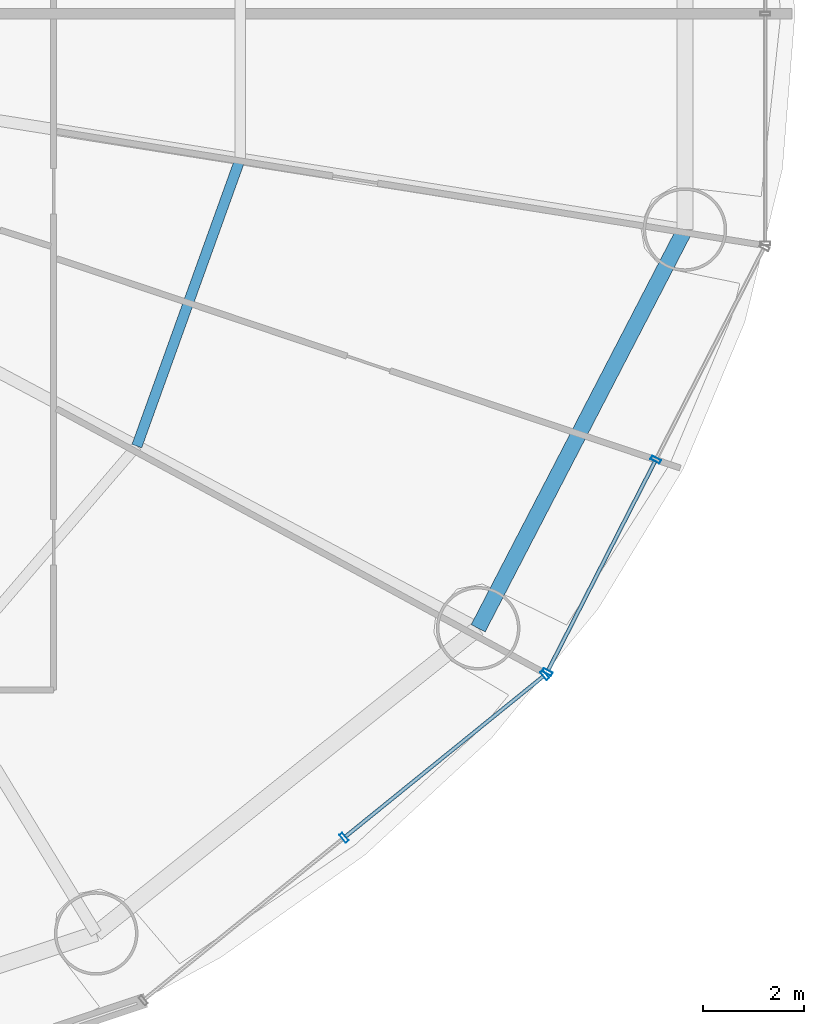
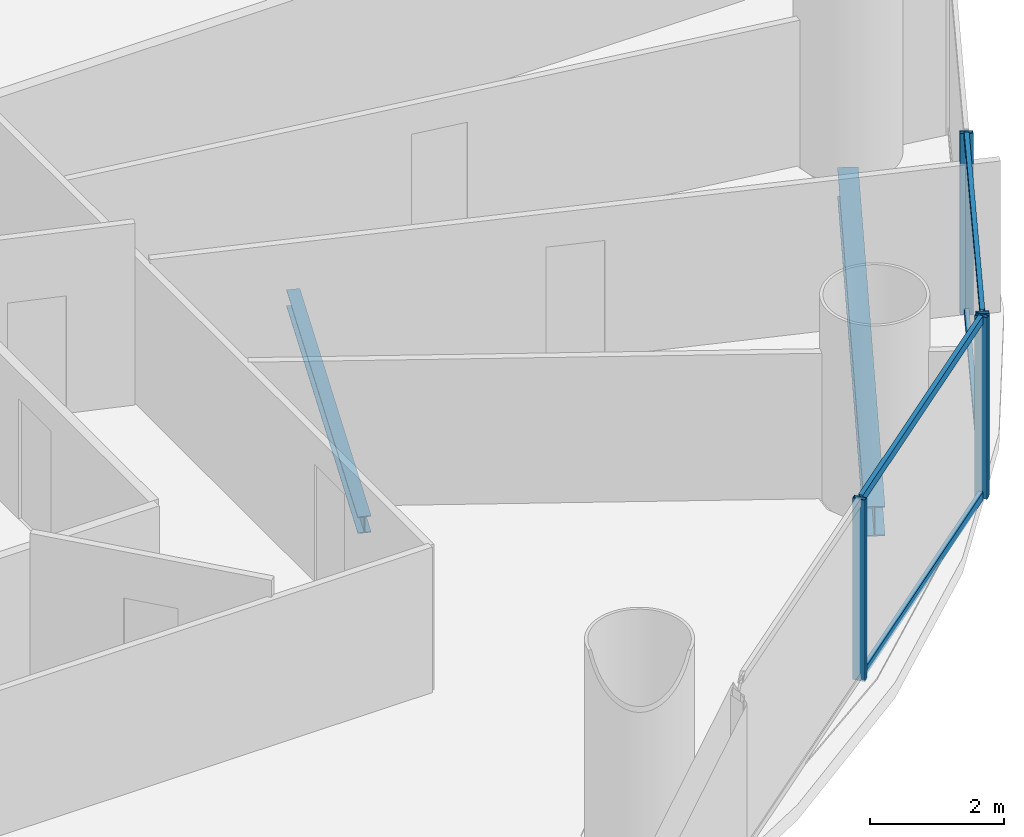
# One storey, part 12 of 29: 8 members, 2 beams, 2 elements without a shape of their own.
"""IFC4 building model written with IfcOpenShell, lengths in metres."""

from ifc_helpers import new_model, si_unit, direction, frame, origin, origin_2d, place, context, subcontext, project, spatial, hollow_rectangle, i_section, extrude, source, transform, mapped, material, material_profile, profile_set, type_object, element, aggregate, save


model = new_model("IFC4")

# Units and contexts
model_context = context("Model", 3, precision=1e-05, world=origin(), true_north=direction((-0.2419218956, 0.970295726276)))
body_context = subcontext(model_context, "Body", "Model", "MODEL_VIEW")
ifc_project = project(units=[si_unit("LENGTHUNIT", "METRE"), si_unit("AREAUNIT", "SQUARE_METRE"), si_unit("VOLUMEUNIT", "CUBIC_METRE"), si_unit("PLANEANGLEUNIT", "RADIAN"), si_unit("MASSUNIT", "GRAM", prefix="KILO")], contexts=[model_context])

# Site, building, storey
site_placement = place(None, origin())
site = spatial("IfcSite", under=ifc_project, at=site_placement, CompositionType="ELEMENT")
building_placement = place(site_placement, origin())
building = spatial("IfcBuilding", under=site, at=building_placement, Name="Cobrevalo Terracotta Tower", CompositionType="ELEMENT")
storey_placement = place(building_placement, frame((0.0, 0.0, 67.199951171875)))
storey = spatial("IfcBuildingStorey", under=building, at=storey_placement, Name="L17", CompositionType="ELEMENT", Elevation=67.199951171875)

# Beams
ifc_material_1 = material(Name="Steel S355", Category="steel")
ifc_material_profile_1 = material_profile(ifc_material_1, i_section(OverallWidth=0.2041015625, OverallDepth=0.305908203125, WebThickness=0.008544921875, FlangeThickness=0.0146484375, at=origin_2d()), Name="W 310x67")
ifc_profile_set_1 = profile_set([ifc_material_profile_1], Name="Steel S355")
beam_type_1 = type_object("IfcBeamType", Name="Structural Joist W 310x67 (Steel S355)", PredefinedType="JOIST", material=ifc_profile_set_1)
beam_1_placement = place(storey_placement, frame((53.997802734375, 18.26025390625, -0.432861328125), z_axis=(0.338672151116, 0.940904444701, 0.0), x_axis=(-0.940904444701, 0.338672151116, 0.0)))
element("IfcBeam", 1, at=beam_1_placement, inside=storey, type_object=beam_type_1, Name="L17 circumferential secondary floor joist 15", PredefinedType="JOIST", context=body_context, shape_type="SweptSolid", body=[
    extrude(i_section(OverallWidth=0.2041015625, OverallDepth=0.305908203125, WebThickness=0.008544921875, FlangeThickness=0.0146484375, at=origin_2d()), origin(), (0.0, 0.0, 1.0), 6.029296875),
])
ifc_material_profile_2 = material_profile(ifc_material_1, i_section(OverallWidth=0.31201171875, OverallDepth=0.54296875, WebThickness=0.0126953125, FlangeThickness=0.020263671875, at=origin_2d()), Name="W 530x150")
ifc_profile_set_2 = profile_set([ifc_material_profile_2], Name="Steel S355")
beam_type_2 = type_object("IfcBeamType", Name="Structural Spandrel W 530x150 (Steel S355)", PredefinedType="SPANDREL", material=ifc_profile_set_2)
beam_2_placement = place(storey_placement, frame((60.74072265625, 14.660888671875, -0.551513671875), z_axis=(0.460285838799, 0.88777077368, 0.0), x_axis=(-0.88777077368, 0.460285838799, 0.0)))
element("IfcBeam", 2, at=beam_2_placement, inside=storey, type_object=beam_type_2, Name="L17 perimeter ring spandrel 15", PredefinedType="SPANDREL", context=body_context, shape_type="SweptSolid", body=[
    extrude(i_section(OverallWidth=0.31201171875, OverallDepth=0.54296875, WebThickness=0.0126953125, FlangeThickness=0.020263671875, at=origin_2d()), origin(), (0.0, 0.0, 1.0), 8.8720703125),
])

# Curtain wall, members
ifc_material_2 = material(Name="Anodized aluminium", Category="aluminium")
curtain_wall_type = type_object("IfcCurtainWallType", Name="Lower-tower unitised acoustic low-E curtain wall CW-U1", PredefinedType="NOTDEFINED", material=ifc_material_2)
curtain_wall_1_placement = place(storey_placement, origin())
curtain_wall_1 = element("IfcCurtainWall", 3, at=curtain_wall_1_placement, inside=storey, type_object=curtain_wall_type, Name="L17 curtain wall CW-L17-S14", PredefinedType="NOTDEFINED")
ifc_material_profile_3 = material_profile(ifc_material_2, hollow_rectangle(XDim=0.074951171875, YDim=0.199951171875, WallThickness=0.0048828125, at=origin_2d()), Name="CWM 75x200")
ifc_profile_set_3 = profile_set([ifc_material_profile_3], Name="Anodized aluminium")
member_type_1 = type_object("IfcMemberType", Name="Lower/mid tower unitised mullion 75x200", PredefinedType="MULLION", material=ifc_profile_set_3)
shared_shape_1 = source(origin(), body_context, "Body", "SweptSolid", [
    extrude(hollow_rectangle(XDim=0.074951171875, YDim=0.199951171875, WallThickness=0.0048828125, at=origin_2d()), origin(), (0.0, 0.0, 1.0), 3.320068359375),
])
member_1_placement = place(storey_placement, frame((58.09130859375, 10.523193359375, 0.0), z_axis=(0.0, 0.0, 1.0), x_axis=(0.777003153187, 0.629496703675, 0.0)))
member_1 = element("IfcMember", 4, at=member_1_placement, type_object=member_type_1, Name="CW-L17-S14 vertical mullion 02", PredefinedType="MULLION", context=body_context, shape_type="MappedRepresentation", body=[
    mapped(shared_shape_1, transform((0.0, 0.0, 0.0), scale=1.0)),
])
member_2_placement = place(storey_placement, frame((62.056640625, 13.735595703125, 0.0), z_axis=(0.0, 0.0, 1.0), x_axis=(0.777003153187, 0.629496703675, 0.0)))
member_2 = element("IfcMember", 5, at=member_2_placement, type_object=member_type_1, Name="CW-L17-S14 vertical mullion 03", PredefinedType="MULLION", context=body_context, shape_type="MappedRepresentation", body=[
    mapped(shared_shape_1, transform((0.0, 0.0, 0.0), scale=1.0)),
])

curtain_wall_2_placement = place(storey_placement, origin())
curtain_wall_2 = element("IfcCurtainWall", 6, at=curtain_wall_2_placement, inside=storey, type_object=curtain_wall_type, Name="L17 curtain wall CW-L17-S15", PredefinedType="NOTDEFINED")
member_3_placement = place(storey_placement, frame((62.10595703125, 13.79638671875, 0.0), z_axis=(0.0, 0.0, 1.0), x_axis=(0.455234136597, 0.890371765543, 0.0)))
member_3 = element("IfcMember", 7, at=member_3_placement, type_object=member_type_1, Name="CW-L17-S15 vertical mullion 01", PredefinedType="MULLION", context=body_context, shape_type="MappedRepresentation", body=[
    mapped(shared_shape_1, transform((0.0, 0.0, 0.0), scale=1.0)),
])
member_4_placement = place(storey_placement, frame((64.25048828125, 17.990966796875, 0.0), z_axis=(0.0, 0.0, 1.0), x_axis=(0.455234136597, 0.890371765543, 0.0)))
member_4 = element("IfcMember", 8, at=member_4_placement, type_object=member_type_1, Name="CW-L17-S15 vertical mullion 02", PredefinedType="MULLION", context=body_context, shape_type="MappedRepresentation", body=[
    mapped(shared_shape_1, transform((0.0, 0.0, 0.0), scale=1.0)),
])

# Member
ifc_material_profile_4 = material_profile(ifc_material_2, hollow_rectangle(XDim=0.074951171875, YDim=0.14990234375, WallThickness=0.00439453125, at=origin_2d()), Name="CWT 75x150")
ifc_profile_set_4 = profile_set([ifc_material_profile_4], Name="Anodized aluminium")
member_type_2 = type_object("IfcMemberType", Name="Tower unitised aluminium transom 75x150", PredefinedType="USERDEFINED", material=ifc_profile_set_4)
shared_shape_2 = source(origin(), body_context, "Body", "SweptSolid", [
    extrude(hollow_rectangle(XDim=0.074951171875, YDim=0.14990234375, WallThickness=0.00439453125, at=origin_2d()), origin(), (0.0, 0.0, 1.0), 5.0234375),
])
member_5_placement = place(storey_placement, frame((58.122314453125, 10.54833984375, 0.050048828125), z_axis=(0.777022991593, 0.629472215857, 0.0), x_axis=(-0.629472215857, 0.777022991593, 0.0)))
member_5 = element("IfcMember", 9, at=member_5_placement, type_object=member_type_2, Name="CW-L17-S14 transom B02-T1", ObjectType="TRANSOM", PredefinedType="USERDEFINED", context=body_context, shape_type="MappedRepresentation", body=[
    mapped(shared_shape_2, transform((0.0, 0.0, 0.0), scale=1.0)),
])

member_6_placement = place(storey_placement, frame((58.122314453125, 10.54833984375, 3.27001953125), z_axis=(0.777022991593, 0.629472215857, 0.0), x_axis=(-0.629472215857, 0.777022991593, 0.0)))
member_6 = element("IfcMember", 10, at=member_6_placement, type_object=member_type_2, Name="CW-L17-S14 transom B02-T2", ObjectType="TRANSOM", PredefinedType="USERDEFINED", context=body_context, shape_type="MappedRepresentation", body=[
    mapped(shared_shape_2, transform((0.0, 0.0, 0.0), scale=1.0)),
])

aggregate(curtain_wall_1, [member_1, member_2, member_5, member_6])

shared_shape_3 = source(origin(), body_context, "Body", "SweptSolid", [
    extrude(hollow_rectangle(XDim=0.074951171875, YDim=0.14990234375, WallThickness=0.00439453125, at=origin_2d()), origin(), (0.0, 0.0, 1.0), 4.631103515625),
])
member_7_placement = place(storey_placement, frame((62.1240234375, 13.83203125, 0.050048828125), z_axis=(0.455271744945, 0.89035253594, 0.0), x_axis=(-0.89035253594, 0.455271744945, 0.0)))
member_7 = element("IfcMember", 11, at=member_7_placement, type_object=member_type_2, Name="CW-L17-S15 transom B01-T1", ObjectType="TRANSOM", PredefinedType="USERDEFINED", context=body_context, shape_type="MappedRepresentation", body=[
    mapped(shared_shape_3, transform((0.0, 0.0, 0.0), scale=1.0)),
])

member_8_placement = place(storey_placement, frame((62.1240234375, 13.83203125, 3.27001953125), z_axis=(0.455271744945, 0.89035253594, 0.0), x_axis=(-0.89035253594, 0.455271744945, 0.0)))
member_8 = element("IfcMember", 12, at=member_8_placement, type_object=member_type_2, Name="CW-L17-S15 transom B01-T2", ObjectType="TRANSOM", PredefinedType="USERDEFINED", context=body_context, shape_type="MappedRepresentation", body=[
    mapped(shared_shape_3, transform((0.0, 0.0, 0.0), scale=1.0)),
])

aggregate(curtain_wall_2, [member_3, member_4, member_7, member_8])

save(model, "model.ifc")
